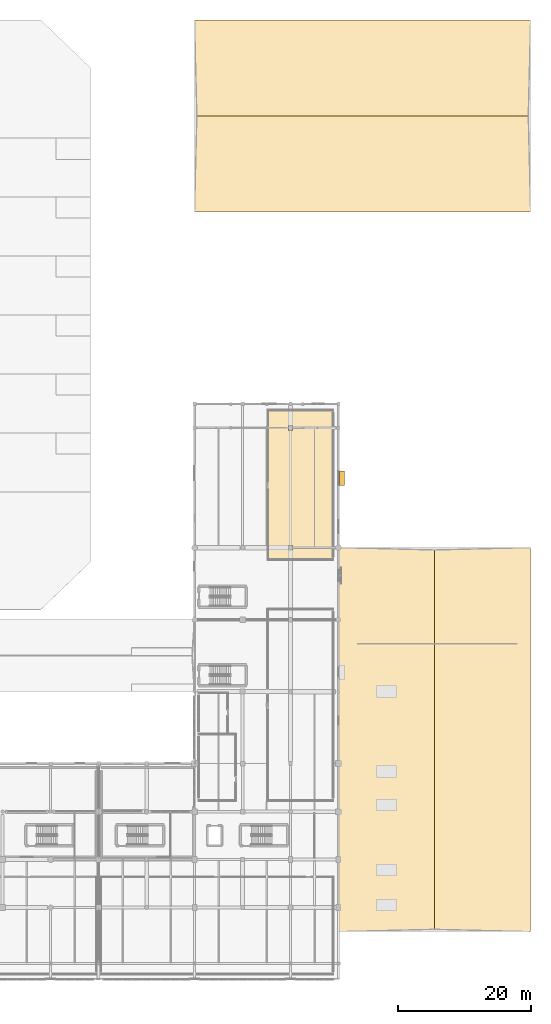
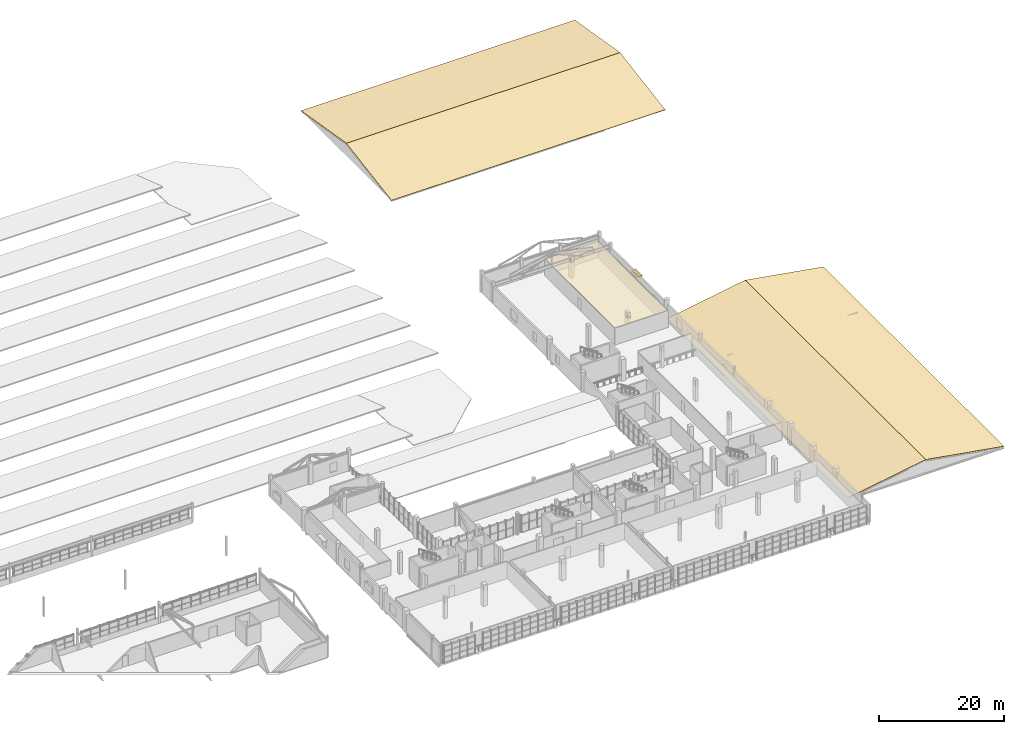
# One storey, part 90 of 90: 5 coverings, 1 shading device.
"""IFC4 building model written with IfcOpenShell, lengths in metres."""

import ifcopenshell
import ifcopenshell.guid

model = None  # the IFC model being written
_history = None  # IfcOwnerHistory: only IFC2X3 demands one
_inside = {}  # id of a spatial element -> (the spatial element, [elements in it])
_under = {}  # id of a project, library or spatial element -> (it, [spatial elements below it])
_declared = {}  # id of a project -> (the project, [libraries it declares])
_typed = {}  # id of a type object -> (the type object, [elements of that type])
_made_of = {}  # id of a material, layer set ... -> (it, [elements and type objects made of it])


def new_model(schema):
    """Start an empty IFC model of exactly this schema.

    Asked for "IFC4X3", IfcOpenShell would pick the latest addendum, in which some entities
    have other attributes; the version numbers below select the first issue.
    IFC2X3 requires an IfcOwnerHistory on every rooted entity: one is made here for all.
    """
    global model, _history
    if schema == "IFC4X3":
        model = ifcopenshell.file(schema_version=(4, 3, 0, 0))
    else:
        model = ifcopenshell.file(schema=schema)
    _inside.clear()
    _under.clear()
    _declared.clear()
    _typed.clear()
    _made_of.clear()
    _history = None
    if model.schema == "IFC2X3":
        org = make("IfcOrganization", Name="unknown")
        user = make(
            "IfcPersonAndOrganization",
            ThePerson=make("IfcPerson", FamilyName="unknown"),
            TheOrganization=org,
        )
        app = make(
            "IfcApplication",
            ApplicationDeveloper=org,
            Version="unknown",
            ApplicationFullName="unknown",
            ApplicationIdentifier="unknown",
        )
        _history = make(
            "IfcOwnerHistory",
            OwningUser=user,
            OwningApplication=app,
            ChangeAction="ADDED",
            CreationDate=0,
        )
    return model


def make(cls, **values):
    """One entity of the class cls with the attributes given. An attribute that is None is left unset."""
    return model.create_entity(
        cls, **{name: value for name, value in values.items() if value is not None}
    )


def rooted(cls, **values):
    """An entity with a GlobalId (a new one), such as an element, a storey or a relation."""
    return make(cls, GlobalId=ifcopenshell.guid.new(), OwnerHistory=_history, **values)


def si_unit(unit_type, name, prefix=None):
    """IfcSIUnit, for example si_unit("LENGTHUNIT", "METRE", prefix="MILLI")."""
    return make("IfcSIUnit", UnitType=unit_type, Prefix=prefix, Name=name)


def assignment(units):
    """IfcUnitAssignment: the units of a project."""
    return None if units is None else make("IfcUnitAssignment", Units=units)


def point(xyz):
    """IfcCartesianPoint."""
    return None if xyz is None else make("IfcCartesianPoint", Coordinates=xyz)


def direction(xyz):
    """IfcDirection."""
    return None if xyz is None else make("IfcDirection", DirectionRatios=xyz)


def frame(location, z_axis=None, x_axis=None):
    """IfcAxis2Placement3D, a coordinate frame: its origin and axes. An axis left out is left unset."""
    return make(
        "IfcAxis2Placement3D",
        Location=point(location),
        Axis=direction(z_axis),
        RefDirection=direction(x_axis),
    )


def frame_2d(location, x_axis=None):
    """IfcAxis2Placement2D, a coordinate frame in the plane: its origin and x axis."""
    return make(
        "IfcAxis2Placement2D", Location=point(location), RefDirection=direction(x_axis)
    )


def origin():
    """The frame at (0, 0, 0) with its axes left unset."""
    return frame((0.0, 0.0, 0.0))


def origin_2d():
    """The frame at (0, 0) in the plane with its x axis left unset."""
    return frame_2d((0.0, 0.0))


def place(relative_to, where):
    """IfcLocalPlacement: puts the frame where relative to a parent placement (None: the world)."""
    return make(
        "IfcLocalPlacement", PlacementRelTo=relative_to, RelativePlacement=where
    )


def context(
    kind, dimensions, precision=None, world=None, true_north=None, identifier=None
):
    """IfcGeometricRepresentationContext, for example the 3D "Model" context."""
    return make(
        "IfcGeometricRepresentationContext",
        ContextIdentifier=identifier,
        ContextType=kind,
        CoordinateSpaceDimension=dimensions,
        Precision=precision,
        WorldCoordinateSystem=world,
        TrueNorth=true_north,
    )


def subcontext(parent, identifier, kind, view, scale=None):
    """IfcGeometricRepresentationSubContext, for example "Body" below "Model"."""
    return make(
        "IfcGeometricRepresentationSubContext",
        ContextIdentifier=identifier,
        ContextType=kind,
        ParentContext=parent,
        TargetScale=scale,
        TargetView=view,
    )


def project(units=None, contexts=None):
    """IfcProject with its units and contexts."""
    return rooted(
        "IfcProject",
        Name="project",
        RepresentationContexts=contexts,
        UnitsInContext=assignment(units),
    )


def spatial(cls, under=None, at=None, **own):
    """A site, building, storey or space (cls), placed at a placement, below another one or the project."""
    s = rooted(cls, ObjectPlacement=at, **own)
    if under is not None:
        _under.setdefault(under.id(), (under, []))[1].append(s)
    return s


def polyline(points):
    """IfcPolyline through the points."""
    return make("IfcPolyline", Points=[point(p) for p in points])


def profile(cls, at=None, kind="AREA", **sizes):
    """A parametric profile (cls). Its sizes go by their IFC names, for example OverallWidth=200.0."""
    return make(cls, ProfileType=kind, Position=at, **sizes)


def rectangle(**sizes):
    """IfcRectangleProfileDef."""
    return profile("IfcRectangleProfileDef", **sizes)


def outline(outer, holes=None, kind="AREA"):
    """IfcArbitraryClosedProfileDef: a profile drawn as a closed curve; with holes, ...WithVoids."""
    if holes is None:
        return make("IfcArbitraryClosedProfileDef", ProfileType=kind, OuterCurve=outer)
    return make(
        "IfcArbitraryProfileDefWithVoids",
        ProfileType=kind,
        OuterCurve=outer,
        InnerCurves=holes,
    )


def extrude(swept, where, along, depth):
    """IfcExtrudedAreaSolid: the profile swept, set in the frame where, extruded along a direction by depth."""
    return make(
        "IfcExtrudedAreaSolid",
        SweptArea=swept,
        Position=where,
        ExtrudedDirection=direction(along),
        Depth=depth,
    )


def shape(context_of_items, identifier, shape_type, items):
    """IfcShapeRepresentation: the items that make up one representation, for example the "Body"."""
    return make(
        "IfcShapeRepresentation",
        ContextOfItems=context_of_items,
        RepresentationIdentifier=identifier,
        RepresentationType=shape_type,
        Items=items,
    )


def material(Name=None, Category=None):
    """IfcMaterial."""
    return make("IfcMaterial", Name=Name, Category=Category)


def layer(
    of_material, thickness, ventilated=None, Name=None, Category=None, Priority=None
):
    """IfcMaterialLayer: one layer of a wall or slab, of a material (None: an air gap)."""
    return make(
        "IfcMaterialLayer",
        Material=of_material,
        LayerThickness=thickness,
        IsVentilated=ventilated,
        Name=Name,
        Category=Category,
        Priority=Priority,
    )


def layer_set(layers, Name=None):
    """IfcMaterialLayerSet."""
    return make("IfcMaterialLayerSet", MaterialLayers=layers, LayerSetName=Name)


def made_of(thing, what):
    """Note that an element or type object is made of a material, layer set ...; save() writes the relation."""
    if what is not None:
        _made_of.setdefault(what.id(), (what, []))[1].append(thing)
    return thing


def type_object(cls, material=None, **own):
    """A type object (cls), such as IfcWallType, which elements share."""
    return made_of(rooted(cls, **own), material)


def element(
    cls,
    number,
    at=None,
    inside=None,
    cuts=None,
    type_object=None,
    material=None,
    context=None,
    identifier="Body",
    shape_type=None,
    held_by="IfcProductDefinitionShape",
    body=None,
    shapes=None,
    **own,
):
    """One element of the class cls, such as IfcWall. Its Tag is "e" and its number.

    at: its placement. inside: the storey or other place that contains it. cuts: it is an
    opening in that element (IfcRelVoidsElement). A single representation is given by context,
    identifier, shape_type and body (its items); several are given by shapes. held_by: the class
    of the entity that holds the representations. save() writes the other relations.
    """
    e = rooted(cls, Tag="e%d" % number, ObjectPlacement=at, **own)
    if body is not None:
        shapes = [shape(context, identifier, shape_type, body)]
    if shapes is not None:
        e.Representation = make(held_by, Representations=shapes)
    if inside is not None:
        _inside.setdefault(inside.id(), (inside, []))[1].append(e)
    if cuts is not None:
        rooted(
            "IfcRelVoidsElement", RelatingBuildingElement=cuts, RelatedOpeningElement=e
        )
    if type_object is not None:
        _typed.setdefault(type_object.id(), (type_object, []))[1].append(e)
    return made_of(e, material)


def aggregate(whole, parts):
    """IfcRelAggregates: a whole, such as a stair, and the parts it consists of."""
    return rooted("IfcRelAggregates", RelatingObject=whole, RelatedObjects=parts)


def save(model, path):
    """Write the relations noted so far, then the file.

    IfcRelAggregates (storeys below a building ...), IfcRelContainedInSpatialStructure (elements
    in a storey), IfcRelDefinesByType, IfcRelAssociatesMaterial and IfcRelDeclares: one each for
    every whole, place, type object, material and project.
    """
    for whole, parts in _under.values():
        aggregate(whole, parts)
    for where, things in _inside.values():
        rooted(
            "IfcRelContainedInSpatialStructure",
            RelatedElements=things,
            RelatingStructure=where,
        )
    for kind, things in _typed.values():
        rooted("IfcRelDefinesByType", RelatedObjects=things, RelatingType=kind)
    for what, things in _made_of.values():
        rooted("IfcRelAssociatesMaterial", RelatedObjects=things, RelatingMaterial=what)
    for by, libraries in _declared.values():
        rooted("IfcRelDeclares", RelatingContext=by, RelatedDefinitions=libraries)
    model.write(path)


model = new_model("IFC4")

# Units and contexts
model_context = context("Model", 3, precision=1e-05, world=origin(), true_north=direction((0.0, 1.0)))
body_context = subcontext(model_context, "Body", "Model", "MODEL_VIEW")
ifc_project = project(units=[si_unit("LENGTHUNIT", "METRE"), si_unit("AREAUNIT", "SQUARE_METRE"), si_unit("VOLUMEUNIT", "CUBIC_METRE"), si_unit("PLANEANGLEUNIT", "RADIAN"), si_unit("MASSUNIT", "GRAM", prefix="KILO")], contexts=[model_context])

# Site, building, storey
site_placement = place(None, origin())
site = spatial("IfcSite", under=ifc_project, at=site_placement, CompositionType="ELEMENT")
building_placement = place(site_placement, origin())
building = spatial("IfcBuilding", under=site, at=building_placement, Name="Solanera Park Tramway Depot", CompositionType="ELEMENT")
storey_placement = place(building_placement, frame((0.0, 0.0, 9.0)))
storey = spatial("IfcBuildingStorey", under=building, at=storey_placement, Name="L02", CompositionType="ELEMENT", Elevation=9.0)

# Covering
ifc_material_1 = material(Name="Acoustic perforated plasterboard and mineral-fibre ceiling")
ifc_layer_1 = layer(ifc_material_1, 0.02001953125)
ifc_layer_set_1 = layer_set([ifc_layer_1], Name="Acoustic perforated plasterboard and mineral-fibre ceiling")
covering_type_1 = type_object("IfcCoveringType", Name="Acoustic Mineral-Fibre Ceiling 20", PredefinedType="CEILING", material=ifc_layer_set_1)
covering_1_placement = place(storey_placement, frame((0.0, 0.0, 3.14990234375)))
element("IfcCovering", 1, at=covering_1_placement, inside=storey, type_object=covering_type_1, Name="Cybersecurity Operations SOC Suite Acoustic Ceiling", PredefinedType="CEILING", context=body_context, shape_type="SweptSolid", body=[
    extrude(outline(polyline([(176.639892578125, 85.360107421875), (186.360107421875, 85.360107421875), (186.360107421875, 63.0400390625), (176.639892578125, 63.0400390625), (176.639892578125, 85.360107421875)]), holes=[polyline([(180.278076171875, 65.153076171875), (179.721923828125, 65.153076171875), (179.721923828125, 64.447021484375), (180.278076171875, 64.447021484375), (180.278076171875, 65.153076171875)]), polyline([(180.278076171875, 82.422119140625), (180.278076171875, 83.177978515625), (179.721923828125, 83.177978515625), (179.721923828125, 82.422119140625), (180.278076171875, 82.422119140625)])]), origin(), (0.0, 0.0, 1.0), 0.02001953125),
])

# Shading device
ifc_material_2 = material(Name="Extruded terracotta brise-soleil hood", Category="masonry")
shading_device_type = type_object("IfcShadingDeviceType", Name="Terracotta Brise-Soleil Sunshade Hood 2200x750", PredefinedType="USERDEFINED", material=ifc_material_2)
shading_device_placement = place(storey_placement, frame((187.715087890625, 75.25, 2.579833984375), z_axis=(0.0, 0.0, 1.0), x_axis=(0.0, 1.0, 0.0)))
element("IfcShadingDevice", 2, at=shading_device_placement, inside=storey, type_object=shading_device_type, Name="Terracotta Brise-Soleil Sunshade #033", ObjectType="SUNSHADE", PredefinedType="USERDEFINED", context=body_context, shape_type="SweptSolid", body=[
    extrude(rectangle(XDim=2.199951171875, YDim=0.75, at=origin_2d()), origin(), (0.0, 0.0, 1.0), 0.1201171875),
])

# Coverings
ifc_material_3 = material(Name="Mission terracotta clay barrel tile", Category="masonry")
ifc_layer_2 = layer(ifc_material_3, 0.044921875)
ifc_layer_set_2 = layer_set([ifc_layer_2], Name="Mission terracotta clay barrel tile")
covering_type_2 = type_object("IfcCoveringType", Name="Terracotta Clay Barrel Tile Roofing 45", PredefinedType="ROOFING", material=ifc_layer_set_2)
covering_2_placement = place(storey_placement, frame((165.60009765625, 115.199951171875, 0.284423828125), z_axis=(0.0, -0.164097943878, 0.986444050524), x_axis=(1.0, 0.0, 0.0)))
element("IfcCovering", 3, at=covering_2_placement, inside=storey, type_object=covering_type_2, Name="Terracotta Barrel Tile Roof Covering V3-RF.1", PredefinedType="ROOFING", context=body_context, shape_type="SweptSolid", body=[
    extrude(outline(polyline([(0.0, 0.0), (50.39990234375, 0.0), (50.39990234375, 14.59803673276671), (0.0, 14.59803673276671), (0.0, 0.0)])), origin(), (0.0, 0.0, -1.0), 0.044921875),
])
covering_3_placement = place(storey_placement, frame((165.60009765625, 129.60009765625, 2.679931640625), z_axis=(0.0, 0.164100651127, 0.986443600162), x_axis=(1.0, 0.0, 0.0)))
element("IfcCovering", 4, at=covering_3_placement, inside=storey, type_object=covering_type_2, Name="Terracotta Barrel Tile Roof Covering V3-RF.2", PredefinedType="ROOFING", context=body_context, shape_type="SweptSolid", body=[
    extrude(outline(polyline([(0.0, 0.0), (50.39990234375, 0.0), (50.39990234375, 14.597795901754665), (0.0, 14.597795901754665), (0.0, 0.0)])), origin(), (0.0, 0.0, -1.0), 0.044921875),
])
covering_4_placement = place(storey_placement, frame((187.199951171875, 7.199951171875, 0.28466796875), z_axis=(-0.16741500619, 0.0, 0.985886512588), x_axis=(0.985886512588, 0.0, 0.16741500619)))
element("IfcCovering", 5, at=covering_4_placement, inside=storey, type_object=covering_type_2, Name="Terracotta Barrel Tile Roof Covering V5-RF.1", PredefinedType="ROOFING", context=body_context, shape_type="SweptSolid", body=[
    extrude(outline(polyline([(0.0, 0.0), (14.606292205556958, 0.0), (14.606292205556958, 57.60009765625), (0.0, 57.60009765625), (0.0, 0.0)])), origin(), (0.0, 0.0, -1.0), 0.044921875),
])
covering_5_placement = place(storey_placement, frame((201.60009765625, 7.199951171875, 2.72998046875), z_axis=(0.167417765042, 0.0, 0.985886044099), x_axis=(0.985886044099, 0.0, -0.167417765042)))
element("IfcCovering", 6, at=covering_5_placement, inside=storey, type_object=covering_type_2, Name="Terracotta Barrel Tile Roof Covering V5-RF.2", PredefinedType="ROOFING", context=body_context, shape_type="SweptSolid", body=[
    extrude(outline(polyline([(0.0, 0.0), (14.606051510664784, 0.0), (14.606051510664784, 57.60009765625), (0.0, 57.60009765625), (0.0, 0.0)])), origin(), (0.0, 0.0, -1.0), 0.044921875),
])

save(model, "model.ifc")
